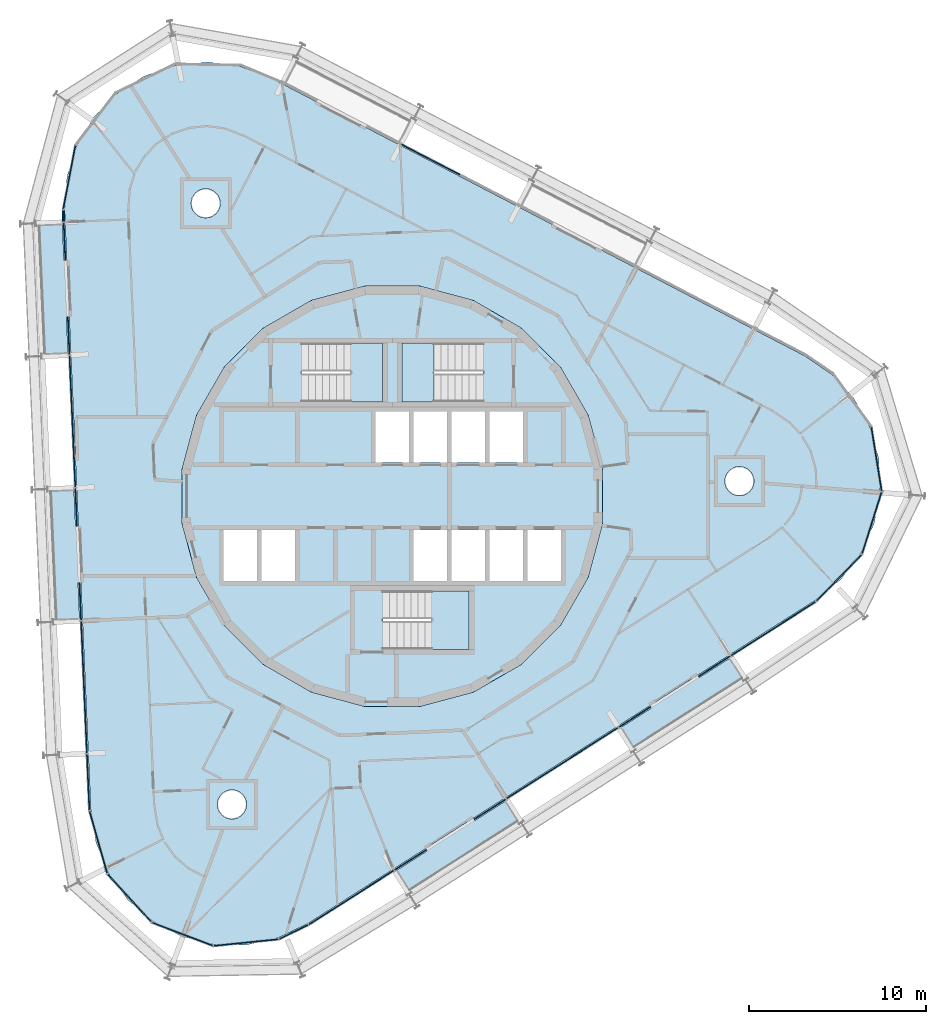
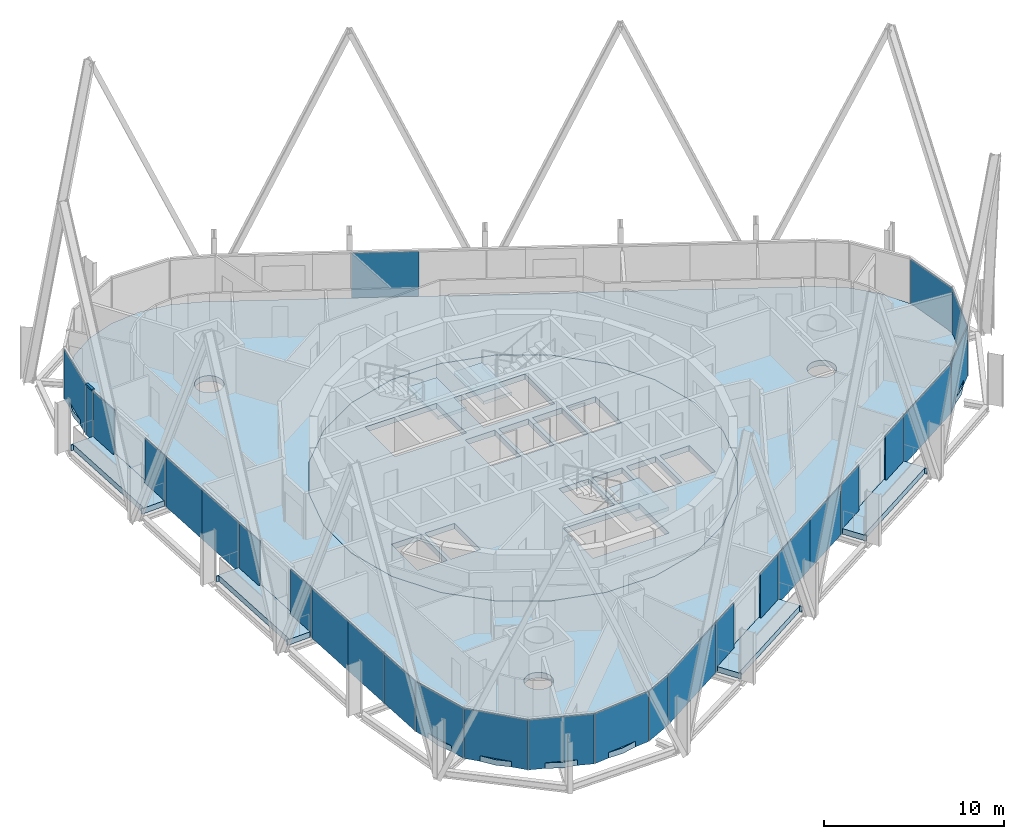
# One storey, part 10 of 18: 28 plates, 9 slabs, 1 member, 9 elements without a shape of their own.
"""IFC4 building model written with IfcOpenShell, lengths in metres."""

from ifc_helpers import new_model, si_unit, direction, frame, origin, origin_2d, place, context, subcontext, project, spatial, polyline, rectangle, outline, extrude, material, layer, layer_set, material_profile, profile_set, type_object, element, aggregate, save


model = new_model("IFC4")

# Units and contexts
model_context = context("Model", 3, precision=1e-05, world=origin(), true_north=direction((0.0, 1.0)))
body_context = subcontext(model_context, "Body", "Model", "MODEL_VIEW")
ifc_project = project(units=[si_unit("LENGTHUNIT", "METRE"), si_unit("AREAUNIT", "SQUARE_METRE"), si_unit("VOLUMEUNIT", "CUBIC_METRE"), si_unit("PLANEANGLEUNIT", "RADIAN"), si_unit("MASSUNIT", "GRAM", prefix="KILO")], contexts=[model_context])

# Site, building, storey
site_placement = place(None, origin())
site = spatial("IfcSite", under=ifc_project, at=site_placement, CompositionType="ELEMENT")
building_placement = place(site_placement, origin())
building = spatial("IfcBuilding", under=site, at=building_placement, Name="Spindle Arch Residences", CompositionType="ELEMENT")
storey_placement = place(building_placement, frame((0.0, 0.0, 240.699951171875)))
storey = spatial("IfcBuildingStorey", under=building, at=storey_placement, Name="L61", CompositionType="ELEMENT", Elevation=240.699951171875)

# Curtain wall, member
ifc_material_1 = material(Name="Aluminium bronze unitised frame with tinted glass", Category="aluminium")
ifc_layer_1 = layer(ifc_material_1, 0.159912109375)
ifc_layer_set_1 = layer_set([ifc_layer_1], Name="CW-D corner wall on the fillet arcs")
curtain_wall_type_1 = type_object("IfcCurtainWallType", Name="CW-D corner wall on the fillet arcs", PredefinedType="NOTDEFINED", material=ifc_layer_set_1)
curtain_wall_1_placement = place(storey_placement, origin())
curtain_wall_1 = element("IfcCurtainWall", 1, at=curtain_wall_1_placement, inside=storey, type_object=curtain_wall_type_1, Name="CW-D L61 run 3", PredefinedType="NOTDEFINED")
ifc_material_2 = material(Name="Aluminium bronze anodised transom", Category="aluminium")
ifc_material_profile = material_profile(ifc_material_2, rectangle(XDim=0.159912109375, YDim=0.1201171875, at=origin_2d()), Name="TR 120x160")
ifc_profile_set = profile_set([ifc_material_profile], Name="Aluminium bronze anodised transom")
member_type = type_object("IfcMemberType", Name="Bronze transom 120x160", PredefinedType="USERDEFINED", material=ifc_profile_set)
member_placement = place(storey_placement, frame((-18.638916015625, 16.2060546875, 3.06005859375), z_axis=(0.043372874815, -0.999058954081, 0.0), x_axis=(0.999058954081, 0.043372874815, 0.0)))
member = element("IfcMember", 2, at=member_placement, type_object=member_type, Name="CW-D transom 05", ObjectType="TRANSOM", PredefinedType="USERDEFINED", context=body_context, shape_type="SweptSolid", body=[
    extrude(rectangle(XDim=0.159912109375, YDim=0.1201171875, at=origin_2d()), origin(), (0.0, 0.0, 1.0), 0.65869140625),
])

# Slabs
ifc_material_3 = material(Name="Concrete C40/50", Category="concrete")
ifc_layer_2 = layer(ifc_material_3, 0.3798828125)
ifc_layer_set_2 = layer_set([ifc_layer_2], Name="Balcony slab 380")
slab_type_1 = type_object("IfcSlabType", Name="Balcony slab 380", PredefinedType="FLOOR", material=ifc_layer_set_2)
slab_1_placement = place(storey_placement, frame((0.0, 0.0, -0.3798828125)))
element("IfcSlab", 3, at=slab_1_placement, inside=storey, type_object=slab_type_1, Name="Balcony L61 bay 1", PredefinedType="FLOOR", context=body_context, shape_type="SweptSolid", body=[
    extrude(outline(polyline([(13.70751953125, -14.36962890625), (13.770751953125, -14.329345703125), (13.690185546875, -14.202880859375), (19.7880859375, -10.318115234375), (19.86865234375, -10.444580078125), (19.931884765625, -10.404296875), (19.13134765625, -9.147705078125), (17.36865234375, -10.270751953125), (17.28271484375, -10.1357421875), (14.583740234375, -11.855224609375), (14.669677734375, -11.989990234375), (12.906982421875, -13.113037109375), (13.70751953125, -14.36962890625)])), origin(), (0.0, 0.0, 1.0), 0.3798828125),
])
slab_2_placement = place(storey_placement, frame((0.0, 0.0, -0.3798828125)))
element("IfcSlab", 4, at=slab_2_placement, inside=storey, type_object=slab_type_1, Name="Balcony L61 bay 13", PredefinedType="FLOOR", context=body_context, shape_type="SweptSolid", body=[
    extrude(outline(polyline([(-20.174072265625, 15.374755859375), (-20.1708984375, 15.2998046875), (-20.02099609375, 15.306396484375), (-19.705810546875, 8.083251953125), (-19.85546875, 8.07666015625), (-19.852294921875, 8.001708984375), (-18.36376953125, 8.066650390625), (-18.454833984375, 10.15478515625), (-18.294921875, 10.161865234375), (-18.4345703125, 13.358642578125), (-18.594482421875, 13.351806640625), (-18.685546875, 15.439697265625), (-20.174072265625, 15.374755859375)])), origin(), (0.0, 0.0, 1.0), 0.3798828125),
])
slab_3_placement = place(storey_placement, frame((0.0, 0.0, -0.3798828125)))
element("IfcSlab", 5, at=slab_3_placement, inside=storey, type_object=slab_type_1, Name="Balcony L61 bay 15", PredefinedType="FLOOR", context=body_context, shape_type="SweptSolid", body=[
    extrude(outline(polyline([(-19.517333984375, 0.3291015625), (-19.513916015625, 0.254150390625), (-19.3642578125, 0.260498046875), (-19.048828125, -6.962646484375), (-19.19873046875, -6.96923828125), (-19.1953125, -7.0439453125), (-17.706787109375, -6.97900390625), (-17.7978515625, -4.89111328125), (-17.63818359375, -4.884033203125), (-17.777587890625, -1.68701171875), (-17.9375, -1.694091796875), (-18.02880859375, 0.39404296875), (-19.517333984375, 0.3291015625)])), origin(), (0.0, 0.0, 1.0), 0.3798828125),
])
slab_4_placement = place(storey_placement, frame((0.0, 0.0, -0.3798828125)))
element("IfcSlab", 6, at=slab_4_placement, inside=storey, type_object=slab_type_1, Name="Balcony L61 bay 21", PredefinedType="FLOOR", context=body_context, shape_type="SweptSolid", body=[
    extrude(outline(polyline([(1.006103515625, -22.46142578125), (1.0693359375, -22.421142578125), (0.988525390625, -22.294677734375), (7.08642578125, -18.409912109375), (7.1669921875, -18.536376953125), (7.230224609375, -18.49609375), (6.4296875, -17.239501953125), (4.6669921875, -18.362548828125), (4.5810546875, -18.2275390625), (1.882080078125, -19.947021484375), (1.968017578125, -20.081787109375), (0.205322265625, -21.204833984375), (1.006103515625, -22.46142578125)])), origin(), (0.0, 0.0, 1.0), 0.3798828125),
])
ifc_material_4 = material(Name="Concrete C50/60", Category="concrete")
ifc_layer_3 = layer(ifc_material_4, 0.3798828125)
ifc_layer_set_3 = layer_set([ifc_layer_3], Name="Core floor slab 380")
slab_type_2 = type_object("IfcSlabType", Name="Core floor slab 380", PredefinedType="FLOOR", material=ifc_layer_set_3)
slab_5_placement = place(storey_placement, frame((0.0, 0.0, -0.3798828125)))
element("IfcSlab", 7, at=slab_5_placement, inside=storey, type_object=slab_type_2, Name="Core floor L61", PredefinedType="FLOOR", context=body_context, shape_type="SweptSolid", body=[
    extrude(outline(polyline([(1.56640625, -11.897216796875), (4.59228515625, -11.086669921875), (7.30517578125, -9.520263671875), (9.520263671875, -7.30517578125), (11.086669921875, -4.59228515625), (11.897216796875, -1.56640625), (11.897216796875, 1.56640625), (11.086669921875, 4.59228515625), (9.520263671875, 7.30517578125), (7.30517578125, 9.520263671875), (4.59228515625, 11.086669921875), (1.56640625, 11.897216796875), (-1.56640625, 11.897216796875), (-4.59228515625, 11.086669921875), (-7.30517578125, 9.520263671875), (-9.520263671875, 7.30517578125), (-11.086669921875, 4.59228515625), (-11.897216796875, 1.56640625), (-11.897216796875, -1.56640625), (-11.086669921875, -4.59228515625), (-9.520263671875, -7.30517578125), (-7.30517578125, -9.520263671875), (-4.59228515625, -11.086669921875), (-1.56640625, -11.897216796875), (1.56640625, -11.897216796875)]), holes=[polyline([(-0.949951171875, 1.89990234375), (0.949951171875, 1.89990234375), (0.949951171875, 4.800048828125), (-0.949951171875, 4.800048828125), (-0.949951171875, 1.89990234375)]), polyline([(1.199951171875, 1.89990234375), (3.10009765625, 1.89990234375), (3.10009765625, 4.800048828125), (1.199951171875, 4.800048828125), (1.199951171875, 1.89990234375)]), polyline([(3.35009765625, 1.89990234375), (5.25, 1.89990234375), (5.25, 4.800048828125), (3.35009765625, 4.800048828125), (3.35009765625, 1.89990234375)]), polyline([(5.5, 1.89990234375), (7.39990234375, 1.89990234375), (7.39990234375, 4.800048828125), (5.5, 4.800048828125), (5.5, 1.89990234375)]), polyline([(-9.550048828125, -4.800048828125), (-7.64990234375, -4.800048828125), (-7.64990234375, -1.89990234375), (-9.550048828125, -1.89990234375), (-9.550048828125, -4.800048828125)]), polyline([(-7.39990234375, -4.800048828125), (-5.5, -4.800048828125), (-5.5, -1.89990234375), (-7.39990234375, -1.89990234375), (-7.39990234375, -4.800048828125)]), polyline([(1.199951171875, -4.800048828125), (3.10009765625, -4.800048828125), (3.10009765625, -1.89990234375), (1.199951171875, -1.89990234375), (1.199951171875, -4.800048828125)]), polyline([(3.35009765625, -4.800048828125), (5.25, -4.800048828125), (5.25, -1.89990234375), (3.35009765625, -1.89990234375), (3.35009765625, -4.800048828125)]), polyline([(5.5, -4.800048828125), (7.39990234375, -4.800048828125), (7.39990234375, -1.89990234375), (5.5, -1.89990234375), (5.5, -4.800048828125)]), polyline([(7.64990234375, -4.800048828125), (9.550048828125, -4.800048828125), (9.550048828125, -1.89990234375), (7.64990234375, -1.89990234375), (7.64990234375, -4.800048828125)]), polyline([(5.1298828125, 8.669921875), (0.550048828125, 8.669921875), (0.550048828125, 5.35009765625), (5.1298828125, 5.35009765625), (5.1298828125, 8.669921875)]), polyline([(-5.1298828125, 5.35009765625), (-0.550048828125, 5.35009765625), (-0.550048828125, 8.669921875), (-5.1298828125, 8.669921875), (-5.1298828125, 5.35009765625)]), polyline([(-0.530029296875, -8.669921875), (4.35009765625, -8.669921875), (4.35009765625, -5.35009765625), (-0.530029296875, -5.35009765625), (-0.530029296875, -8.669921875)])]), origin(), (0.0, 0.0, 1.0), 0.3798828125),
])

# Stair, slab
ifc_material_5 = material(Name="Concrete C50/60", Category="concrete")
stair_type = type_object("IfcStairType", Name="Exit stair 16 risers", PredefinedType="HALF_TURN_STAIR", material=ifc_material_5)
stair_1_placement = place(storey_placement, origin())
stair_1 = element("IfcStair", 8, at=stair_1_placement, inside=storey, type_object=stair_type, Name="L61 Exit stair ST1", PredefinedType="HALF_TURN_STAIR")
ifc_material_6 = material(Name="Concrete C50/60", Category="concrete")
ifc_layer_4 = layer(ifc_material_6, 0.219970703125)
ifc_layer_set_4 = layer_set([ifc_layer_4], Name="Exit stair landing 220")
slab_type_3 = type_object("IfcSlabType", Name="Exit stair landing 220", PredefinedType="LANDING", material=ifc_layer_set_4)
slab_6_placement = place(storey_placement, frame((0.0, 0.0, 1.530029296875)))
slab_6 = element("IfcSlab", 9, at=slab_6_placement, type_object=slab_type_3, Name="ST1 landing 1", PredefinedType="LANDING", context=body_context, shape_type="SweptSolid", body=[
    extrude(outline(polyline([(2.3701171875, 8.669921875), (0.550048828125, 8.669921875), (0.550048828125, 5.35009765625), (2.3701171875, 5.35009765625), (2.3701171875, 8.669921875)])), origin(), (0.0, 0.0, 1.0), 0.219970703125),
])
aggregate(stair_1, [slab_6])

stair_2_placement = place(storey_placement, origin())
stair_2 = element("IfcStair", 10, at=stair_2_placement, inside=storey, type_object=stair_type, Name="L61 Exit stair ST2", PredefinedType="HALF_TURN_STAIR")
slab_7_placement = place(storey_placement, frame((0.0, 0.0, 1.530029296875)))
slab_7 = element("IfcSlab", 11, at=slab_7_placement, type_object=slab_type_3, Name="ST2 landing 1", PredefinedType="LANDING", context=body_context, shape_type="SweptSolid", body=[
    extrude(outline(polyline([(-2.3701171875, 5.35009765625), (-0.550048828125, 5.35009765625), (-0.550048828125, 8.669921875), (-2.3701171875, 8.669921875), (-2.3701171875, 5.35009765625)])), origin(), (0.0, 0.0, 1.0), 0.219970703125),
])
aggregate(stair_2, [slab_7])

stair_3_placement = place(storey_placement, origin())
stair_3 = element("IfcStair", 12, at=stair_3_placement, inside=storey, type_object=stair_type, Name="L61 Exit stair ST3", PredefinedType="HALF_TURN_STAIR")
slab_8_placement = place(storey_placement, frame((0.0, 0.0, 1.530029296875)))
slab_8 = element("IfcSlab", 13, at=slab_8_placement, type_object=slab_type_3, Name="ST3 landing 1", PredefinedType="LANDING", context=body_context, shape_type="SweptSolid", body=[
    extrude(outline(polyline([(2.22998046875, -8.669921875), (4.35009765625, -8.669921875), (4.35009765625, -5.35009765625), (2.22998046875, -5.35009765625), (2.22998046875, -8.669921875)])), origin(), (0.0, 0.0, 1.0), 0.219970703125),
])
aggregate(stair_3, [slab_8])

# Slab
ifc_material_7 = material(Name="Concrete C40/50", Category="concrete")
ifc_layer_5 = layer(ifc_material_7, 0.3798828125)
ifc_layer_set_5 = layer_set([ifc_layer_5], Name="Floor slab 380")
slab_type_4 = type_object("IfcSlabType", Name="Floor slab 380", PredefinedType="FLOOR", material=ifc_layer_set_5)
slab_9_placement = place(storey_placement, frame((0.0, 0.0, -0.3798828125)))
element("IfcSlab", 14, at=slab_9_placement, inside=storey, type_object=slab_type_4, Name="Floor slab L61", PredefinedType="FLOOR", context=body_context, shape_type="SweptSolid", body=[
    extrude(outline(polyline([(-6.45556640625, -25.0029296875), (-8.268798828125, -25.40478515625), (-10.126220703125, -25.3779296875), (-11.92724609375, -24.92333984375), (-13.57470703125, -24.065673828125), (-14.980224609375, -22.85107421875), (-16.067626953125, -21.34521484375), (-16.778564453125, -19.629150390625), (-17.074462890625, -17.79541015625), (-18.560302734375, 16.239501953125), (-18.42529296875, 18.092041015625), (-17.866943359375, 19.863525390625), (-16.914794921875, 21.45849609375), (-15.62060546875, 22.791015625), (-14.053955078125, 23.788818359375), (-12.299560546875, 24.398681640625), (-10.45166015625, 24.587646484375), (-8.610107421875, 24.34521484375), (-6.8740234375, 23.6845703125), (23.343994140625, 7.9541015625), (24.880859375, 6.910888671875), (26.1357421875, 5.54150390625), (27.041015625, 3.91943359375), (27.5478515625, 2.13232421875), (27.62890625, 0.276611328125), (27.27978515625, -1.547607421875), (26.519287109375, -3.242431640625), (25.388427734375, -4.716064453125), (23.948486328125, -5.88916015625), (9.58251953125, -15.041259765625), (-4.78369140625, -24.193603515625), (-6.45556640625, -25.0029296875)]), holes=[polyline([(7.30517578125, -9.520263671875), (9.520263671875, -7.30517578125), (11.086669921875, -4.59228515625), (11.897216796875, -1.56640625), (11.897216796875, 1.56640625), (11.086669921875, 4.59228515625), (9.520263671875, 7.30517578125), (7.30517578125, 9.520263671875), (4.59228515625, 11.086669921875), (1.56640625, 11.897216796875), (-1.56640625, 11.897216796875), (-4.59228515625, 11.086669921875), (-7.30517578125, 9.520263671875), (-9.520263671875, 7.30517578125), (-11.086669921875, 4.59228515625), (-11.897216796875, 1.56640625), (-11.897216796875, -1.56640625), (-11.086669921875, -4.59228515625), (-9.520263671875, -7.30517578125), (-7.30517578125, -9.520263671875), (-4.59228515625, -11.086669921875), (-1.56640625, -11.897216796875), (1.56640625, -11.897216796875), (4.59228515625, -11.086669921875), (7.30517578125, -9.520263671875)]), polyline([(-8.39599609375, -17.904541015625), (-8.31982421875, -17.761962890625), (-8.27294921875, -17.607177734375), (-8.257080078125, -17.4462890625), (-8.27294921875, -17.285400390625), (-8.31982421875, -17.130615234375), (-8.39599609375, -16.988037109375), (-8.49853515625, -16.86279296875), (-8.623779296875, -16.76025390625), (-8.766357421875, -16.68408203125), (-8.921142578125, -16.63720703125), (-9.08203125, -16.621337890625), (-9.242919921875, -16.63720703125), (-9.397705078125, -16.68408203125), (-9.540283203125, -16.76025390625), (-9.665283203125, -16.86279296875), (-9.76806640625, -16.988037109375), (-9.84423828125, -17.130615234375), (-9.89111328125, -17.285400390625), (-9.906982421875, -17.4462890625), (-9.89111328125, -17.607177734375), (-9.84423828125, -17.761962890625), (-9.76806640625, -17.904541015625), (-9.665283203125, -18.02978515625), (-9.540283203125, -18.13232421875), (-9.397705078125, -18.20849609375), (-9.242919921875, -18.25537109375), (-9.08203125, -18.271240234375), (-8.921142578125, -18.25537109375), (-8.766357421875, -18.20849609375), (-8.623779296875, -18.13232421875), (-8.49853515625, -18.02978515625), (-8.39599609375, -17.904541015625)]), polyline([(-9.882080078125, 16.130126953125), (-9.805908203125, 16.272705078125), (-9.7587890625, 16.427490234375), (-9.742919921875, 16.58837890625), (-9.7587890625, 16.749267578125), (-9.805908203125, 16.904052734375), (-9.882080078125, 17.046630859375), (-9.984619140625, 17.171875), (-10.109619140625, 17.2744140625), (-10.252197265625, 17.3505859375), (-10.406982421875, 17.3974609375), (-10.568115234375, 17.413330078125), (-10.72900390625, 17.3974609375), (-10.8837890625, 17.3505859375), (-11.0263671875, 17.2744140625), (-11.1513671875, 17.171875), (-11.25390625, 17.046630859375), (-11.330078125, 16.904052734375), (-11.377197265625, 16.749267578125), (-11.39306640625, 16.58837890625), (-11.377197265625, 16.427490234375), (-11.330078125, 16.272705078125), (-11.25390625, 16.130126953125), (-11.1513671875, 16.0048828125), (-11.0263671875, 15.90234375), (-10.8837890625, 15.826171875), (-10.72900390625, 15.779296875), (-10.568115234375, 15.763427734375), (-10.406982421875, 15.779296875), (-10.252197265625, 15.826171875), (-10.109619140625, 15.90234375), (-9.984619140625, 16.0048828125), (-9.882080078125, 16.130126953125)]), polyline([(20.2333984375, 0.2744140625), (20.3359375, 0.399658203125), (20.412109375, 0.542236328125), (20.458984375, 0.697021484375), (20.47509765625, 0.85791015625), (20.458984375, 1.018798828125), (20.412109375, 1.173583984375), (20.3359375, 1.316162109375), (20.2333984375, 1.44140625), (20.1083984375, 1.5439453125), (19.9658203125, 1.6201171875), (19.810791015625, 1.6669921875), (19.64990234375, 1.682861328125), (19.489013671875, 1.6669921875), (19.334228515625, 1.6201171875), (19.191650390625, 1.5439453125), (19.066650390625, 1.44140625), (18.964111328125, 1.316162109375), (18.8876953125, 1.173583984375), (18.8408203125, 1.018798828125), (18.824951171875, 0.85791015625), (18.8408203125, 0.697021484375), (18.8876953125, 0.542236328125), (18.964111328125, 0.399658203125), (19.066650390625, 0.2744140625), (19.191650390625, 0.171875), (19.334228515625, 0.095703125), (19.489013671875, 0.048828125), (19.64990234375, 0.032958984375), (19.810791015625, 0.048828125), (19.9658203125, 0.095703125), (20.1083984375, 0.171875), (20.2333984375, 0.2744140625)])]), origin(), (0.0, 0.0, 1.0), 0.3798828125),
])

# Curtain wall, plates
curtain_wall_2_placement = place(storey_placement, origin())
curtain_wall_2 = element("IfcCurtainWall", 15, at=curtain_wall_2_placement, inside=storey, type_object=curtain_wall_type_1, Name="CW-D L61 run 1", PredefinedType="NOTDEFINED")
ifc_material_8 = material(Name="Tinted double glazing over aluminium faced non-combustible spandrel zone (K0)", Category="aluminium")
ifc_layer_6 = layer(ifc_material_8, 0.06005859375)
ifc_layer_set_6 = layer_set([ifc_layer_6], Name="Unitised glass panel with E 60 spandrel zone")
plate_type = type_object("IfcPlateType", Name="Unitised glass panel with E 60 spandrel zone", PredefinedType="CURTAIN_PANEL", material=ifc_layer_set_6)
plate_1_placement = place(storey_placement, frame((21.571533203125, -7.498291015625, -0.3798828125), z_axis=(0.0, 0.0, 1.0), x_axis=(0.843391445813, 0.537299608347, 0.0)))
plate_1 = element("IfcPlate", 16, at=plate_1_placement, type_object=plate_type, Name="CW-D unit 00", PredefinedType="CURTAIN_PANEL", context=body_context, shape_type="SweptSolid", body=[
    extrude(rectangle(XDim=5.678466796875, YDim=0.06005859375, at=origin_2d()), origin(), (0.0, 0.0, 1.0), 3.3798828125),
])
plate_2_placement = place(storey_placement, frame((25.28955078125, -4.6201171875, -0.3798828125), z_axis=(0.0, 0.0, 1.0), x_axis=(0.696747904692, 0.71731607908, 0.0)))
plate_2 = element("IfcPlate", 17, at=plate_2_placement, type_object=plate_type, Name="CW-D unit 01", PredefinedType="CURTAIN_PANEL", context=body_context, shape_type="SweptSolid", body=[
    extrude(rectangle(XDim=3.666748046875, YDim=0.06005859375, at=origin_2d()), origin(), (0.0, 0.0, 1.0), 3.3798828125),
])
plate_3_placement = place(storey_placement, frame((27.148193359375, -1.50634765625, -0.3798828125), z_axis=(0.0, 0.0, 1.0), x_axis=(0.300705803932, 0.953716949352, 0.0)))
plate_3 = element("IfcPlate", 18, at=plate_3_placement, type_object=plate_type, Name="CW-D unit 02", PredefinedType="CURTAIN_PANEL", context=body_context, shape_type="SweptSolid", body=[
    extrude(rectangle(XDim=3.666748046875, YDim=0.06005859375, at=origin_2d()), origin(), (0.0, 0.0, 1.0), 3.3798828125),
])
plate_4_placement = place(storey_placement, frame((27.411865234375, 2.1103515625, -0.3798828125), z_axis=(0.0, 0.0, 1.0), x_axis=(-0.15930686075, 0.987229114298, 0.0)))
plate_4 = element("IfcPlate", 19, at=plate_4_placement, type_object=plate_type, Name="CW-D unit 03", PredefinedType="CURTAIN_PANEL", context=body_context, shape_type="SweptSolid", body=[
    extrude(rectangle(XDim=3.666748046875, YDim=0.06005859375, at=origin_2d()), origin(), (0.0, 0.0, 1.0), 3.3798828125),
])
aggregate(curtain_wall_2, [plate_1, plate_2, plate_3, plate_4])

# Curtain wall, plate
ifc_material_9 = material(Name="Aluminium bronze unitised frame with tinted glass", Category="aluminium")
ifc_layer_7 = layer(ifc_material_9, 0.159912109375)
ifc_layer_set_7 = layer_set([ifc_layer_7], Name="CW-C typical residential unitised wall")
curtain_wall_type_2 = type_object("IfcCurtainWallType", Name="CW-C typical residential unitised wall", PredefinedType="NOTDEFINED", material=ifc_layer_set_7)
curtain_wall_3_placement = place(storey_placement, origin())
curtain_wall_3 = element("IfcCurtainWall", 20, at=curtain_wall_3_placement, inside=storey, type_object=curtain_wall_type_2, Name="CW-C L61 run 2", PredefinedType="NOTDEFINED")
plate_5_placement = place(storey_placement, frame((2.16259765625, 19.070556640625, -0.3798828125), z_axis=(0.0, 0.0, 1.0), x_axis=(-0.887010833178, 0.461748613235, 0.0)))
plate_5 = element("IfcPlate", 21, at=plate_5_placement, type_object=plate_type, Name="CW-C unit 07B", PredefinedType="CURTAIN_PANEL", context=body_context, shape_type="SweptSolid", body=[
    extrude(rectangle(XDim=3.735107421875, YDim=0.06005859375, at=origin_2d()), origin(), (0.0, 0.0, 1.0), 3.3798828125),
])
aggregate(curtain_wall_3, [plate_5])

# Plate
plate_6_placement = place(storey_placement, frame((-18.2900390625, 18.066162109375, -0.3798828125), z_axis=(0.0, 0.0, 1.0), x_axis=(-0.187952756314, -0.982178070104, 0.0)))
plate_6 = element("IfcPlate", 22, at=plate_6_placement, type_object=plate_type, Name="CW-D unit 04", PredefinedType="CURTAIN_PANEL", context=body_context, shape_type="SweptSolid", body=[
    extrude(rectangle(XDim=3.666748046875, YDim=0.06005859375, at=origin_2d()), origin(), (0.0, 0.0, 1.0), 3.3798828125),
])

plate_7_placement = place(storey_placement, frame((-18.62451171875, 15.877197265625, -0.3798828125), z_axis=(0.0, 0.0, 1.0), x_axis=(0.043619387365, -0.999048221582, 0.0)))
plate_7 = element("IfcPlate", 23, at=plate_7_placement, type_object=plate_type, Name="CW-D unit 05", PredefinedType="CURTAIN_PANEL", context=body_context, shape_type="SweptSolid", body=[
    extrude(rectangle(XDim=0.658447265625, YDim=0.06005859375, at=origin_2d()), origin(), (0.0, 0.0, 1.0), 3.3798828125),
])

aggregate(curtain_wall_1, [plate_6, member, plate_7])

# Curtain wall, plates
curtain_wall_4_placement = place(storey_placement, origin())
curtain_wall_4 = element("IfcCurtainWall", 24, at=curtain_wall_4_placement, inside=storey, type_object=curtain_wall_type_2, Name="CW-C L61 run 4", PredefinedType="NOTDEFINED")
plate_8_placement = place(storey_placement, frame((-18.56103515625, 14.421875, -0.3798828125), z_axis=(0.0, 0.0, 1.0), x_axis=(0.043619387365, -0.999048221582, 0.0)))
plate_8 = element("IfcPlate", 25, at=plate_8_placement, type_object=plate_type, Name="CW-C unit 12L", PredefinedType="CURTAIN_PANEL", context=body_context, shape_type="SweptSolid", body=[
    extrude(rectangle(XDim=2.135009765625, YDim=0.06005859375, at=origin_2d()), origin(), (0.0, 0.0, 1.0), 3.3798828125),
])
plate_9_placement = place(storey_placement, frame((-18.328369140625, 9.091796875, -0.3798828125), z_axis=(0.0, 0.0, 1.0), x_axis=(0.043619387365, -0.999048221582, 0.0)))
plate_9 = element("IfcPlate", 26, at=plate_9_placement, type_object=plate_type, Name="CW-C unit 12R", PredefinedType="CURTAIN_PANEL", context=body_context, shape_type="SweptSolid", body=[
    extrude(rectangle(XDim=2.135009765625, YDim=0.06005859375, at=origin_2d()), origin(), (0.0, 0.0, 1.0), 3.3798828125),
])
plate_10_placement = place(storey_placement, frame((-18.19775390625, 6.099609375, -0.3798828125), z_axis=(0.0, 0.0, 1.0), x_axis=(0.043619387365, -0.999048221582, 0.0)))
plate_10 = element("IfcPlate", 27, at=plate_10_placement, type_object=plate_type, Name="CW-C unit 13A", PredefinedType="CURTAIN_PANEL", context=body_context, shape_type="SweptSolid", body=[
    extrude(rectangle(XDim=3.735107421875, YDim=0.06005859375, at=origin_2d()), origin(), (0.0, 0.0, 1.0), 3.3798828125),
])
plate_11_placement = place(storey_placement, frame((-18.034912109375, 2.3681640625, -0.3798828125), z_axis=(0.0, 0.0, 1.0), x_axis=(0.043619387365, -0.999048221582, 0.0)))
plate_11 = element("IfcPlate", 28, at=plate_11_placement, type_object=plate_type, Name="CW-C unit 13B", PredefinedType="CURTAIN_PANEL", context=body_context, shape_type="SweptSolid", body=[
    extrude(rectangle(XDim=3.735107421875, YDim=0.06005859375, at=origin_2d()), origin(), (0.0, 0.0, 1.0), 3.3798828125),
])
plate_12_placement = place(storey_placement, frame((-17.904052734375, -0.6240234375, -0.3798828125), z_axis=(0.0, 0.0, 1.0), x_axis=(0.043619387365, -0.999048221582, 0.0)))
plate_12 = element("IfcPlate", 29, at=plate_12_placement, type_object=plate_type, Name="CW-C unit 14L", PredefinedType="CURTAIN_PANEL", context=body_context, shape_type="SweptSolid", body=[
    extrude(rectangle(XDim=2.135009765625, YDim=0.06005859375, at=origin_2d()), origin(), (0.0, 0.0, 1.0), 3.3798828125),
])
plate_13_placement = place(storey_placement, frame((-17.67138671875, -5.9541015625, -0.3798828125), z_axis=(0.0, 0.0, 1.0), x_axis=(0.043619387365, -0.999048221582, 0.0)))
plate_13 = element("IfcPlate", 30, at=plate_13_placement, type_object=plate_type, Name="CW-C unit 14R", PredefinedType="CURTAIN_PANEL", context=body_context, shape_type="SweptSolid", body=[
    extrude(rectangle(XDim=2.135009765625, YDim=0.06005859375, at=origin_2d()), origin(), (0.0, 0.0, 1.0), 3.3798828125),
])
plate_14_placement = place(storey_placement, frame((-17.540771484375, -8.9462890625, -0.3798828125), z_axis=(0.0, 0.0, 1.0), x_axis=(0.043619387365, -0.999048221582, 0.0)))
plate_14 = element("IfcPlate", 31, at=plate_14_placement, type_object=plate_type, Name="CW-C unit 15A", PredefinedType="CURTAIN_PANEL", context=body_context, shape_type="SweptSolid", body=[
    extrude(rectangle(XDim=3.735107421875, YDim=0.06005859375, at=origin_2d()), origin(), (0.0, 0.0, 1.0), 3.3798828125),
])
plate_15_placement = place(storey_placement, frame((-17.3779296875, -12.677734375, -0.3798828125), z_axis=(0.0, 0.0, 1.0), x_axis=(0.043619387365, -0.999048221582, 0.0)))
plate_15 = element("IfcPlate", 32, at=plate_15_placement, type_object=plate_type, Name="CW-C unit 15B", PredefinedType="CURTAIN_PANEL", context=body_context, shape_type="SweptSolid", body=[
    extrude(rectangle(XDim=3.735107421875, YDim=0.06005859375, at=origin_2d()), origin(), (0.0, 0.0, 1.0), 3.3798828125),
])
aggregate(curtain_wall_4, [plate_8, plate_9, plate_10, plate_11, plate_12, plate_13, plate_14, plate_15])

curtain_wall_5_placement = place(storey_placement, origin())
curtain_wall_5 = element("IfcCurtainWall", 33, at=curtain_wall_5_placement, inside=storey, type_object=curtain_wall_type_1, Name="CW-D L61 run 5", PredefinedType="NOTDEFINED")
plate_16_placement = place(storey_placement, frame((-17.224609375, -16.18603515625, -0.3798828125), z_axis=(0.0, 0.0, 1.0), x_axis=(0.043619387365, -0.999048221582, 0.0)))
plate_16 = element("IfcPlate", 34, at=plate_16_placement, type_object=plate_type, Name="CW-D unit 00", PredefinedType="CURTAIN_PANEL", context=body_context, shape_type="SweptSolid", body=[
    extrude(rectangle(XDim=3.16845703125, YDim=0.06005859375, at=origin_2d()), origin(), (0.0, 0.0, 1.0), 3.3798828125),
])
plate_17_placement = place(storey_placement, frame((-16.64599609375, -19.591552734375, -0.3798828125), z_axis=(0.0, 0.0, 1.0), x_axis=(0.272839997585, -0.962059424213, 0.0)))
plate_17 = element("IfcPlate", 35, at=plate_17_placement, type_object=plate_type, Name="CW-D unit 01", PredefinedType="CURTAIN_PANEL", context=body_context, shape_type="SweptSolid", body=[
    extrude(rectangle(XDim=3.666748046875, YDim=0.06005859375, at=origin_2d()), origin(), (0.0, 0.0, 1.0), 3.3798828125),
])
plate_18_placement = place(storey_placement, frame((-14.878662109375, -22.758056640625, -0.3798828125), z_axis=(0.0, 0.0, 1.0), x_axis=(0.675590207538, -0.737277336881, 0.0)))
plate_18 = element("IfcPlate", 36, at=plate_18_placement, type_object=plate_type, Name="CW-D unit 02", PredefinedType="CURTAIN_PANEL", context=body_context, shape_type="SweptSolid", body=[
    extrude(rectangle(XDim=3.666748046875, YDim=0.06005859375, at=origin_2d()), origin(), (0.0, 0.0, 1.0), 3.3798828125),
])
plate_19_placement = place(storey_placement, frame((-11.878173828125, -24.79443359375, -0.3798828125), z_axis=(0.0, 0.0, 1.0), x_axis=(0.934618925661, -0.355650760994, 0.0)))
plate_19 = element("IfcPlate", 37, at=plate_19_placement, type_object=plate_type, Name="CW-D unit 03", PredefinedType="CURTAIN_PANEL", context=body_context, shape_type="SweptSolid", body=[
    extrude(rectangle(XDim=3.666748046875, YDim=0.06005859375, at=origin_2d()), origin(), (0.0, 0.0, 1.0), 3.3798828125),
])
plate_20_placement = place(storey_placement, frame((-8.282958984375, -25.267822265625, -0.3798828125), z_axis=(0.0, 0.0, 1.0), x_axis=(0.994821748016, 0.10163508092, 0.0)))
plate_20 = element("IfcPlate", 38, at=plate_20_placement, type_object=plate_type, Name="CW-D unit 04", PredefinedType="CURTAIN_PANEL", context=body_context, shape_type="SweptSolid", body=[
    extrude(rectangle(XDim=3.666748046875, YDim=0.06005859375, at=origin_2d()), origin(), (0.0, 0.0, 1.0), 3.3798828125),
])
plate_21_placement = place(storey_placement, frame((-5.5849609375, -24.669677734375, -0.3798828125), z_axis=(0.0, 0.0, 1.0), x_axis=(0.900065409973, 0.435754813823, 0.0)))
plate_21 = element("IfcPlate", 39, at=plate_21_placement, type_object=plate_type, Name="CW-D unit 05", PredefinedType="CURTAIN_PANEL", context=body_context, shape_type="SweptSolid", body=[
    extrude(rectangle(XDim=1.816162109375, YDim=0.06005859375, at=origin_2d()), origin(), (0.0, 0.0, 1.0), 3.3798828125),
])
plate_22_placement = place(storey_placement, frame((-2.32080078125, -22.71923828125, -0.3798828125), z_axis=(0.0, 0.0, 1.0), x_axis=(0.843391445813, 0.537299608347, 0.0)))
plate_22 = element("IfcPlate", 40, at=plate_22_placement, type_object=plate_type, Name="CW-D unit 06", PredefinedType="CURTAIN_PANEL", context=body_context, shape_type="SweptSolid", body=[
    extrude(rectangle(XDim=5.678466796875, YDim=0.06005859375, at=origin_2d()), origin(), (0.0, 0.0, 1.0), 3.3798828125),
])
aggregate(curtain_wall_5, [plate_16, plate_17, plate_18, plate_19, plate_20, plate_21, plate_22])

curtain_wall_6_placement = place(storey_placement, origin())
curtain_wall_6 = element("IfcCurtainWall", 41, at=curtain_wall_6_placement, inside=storey, type_object=curtain_wall_type_2, Name="CW-C L61 run 6", PredefinedType="NOTDEFINED")
plate_23_placement = place(storey_placement, frame((1.02490234375, -20.587890625, -0.3798828125), z_axis=(0.0, 0.0, 1.0), x_axis=(0.843391445813, 0.537299608347, 0.0)))
plate_23 = element("IfcPlate", 42, at=plate_23_placement, type_object=plate_type, Name="CW-C unit 20L", PredefinedType="CURTAIN_PANEL", context=body_context, shape_type="SweptSolid", body=[
    extrude(rectangle(XDim=2.135009765625, YDim=0.06005859375, at=origin_2d()), origin(), (0.0, 0.0, 1.0), 3.3798828125),
])
plate_24_placement = place(storey_placement, frame((5.5244140625, -17.721435546875, -0.3798828125), z_axis=(0.0, 0.0, 1.0), x_axis=(0.843391445813, 0.537299608347, 0.0)))
plate_24 = element("IfcPlate", 43, at=plate_24_placement, type_object=plate_type, Name="CW-C unit 20R", PredefinedType="CURTAIN_PANEL", context=body_context, shape_type="SweptSolid", body=[
    extrude(rectangle(XDim=2.135009765625, YDim=0.06005859375, at=origin_2d()), origin(), (0.0, 0.0, 1.0), 3.3798828125),
])
plate_25_placement = place(storey_placement, frame((8.05029296875, -16.1123046875, -0.3798828125), z_axis=(0.0, 0.0, 1.0), x_axis=(0.843391445813, 0.537299608347, 0.0)))
plate_25 = element("IfcPlate", 44, at=plate_25_placement, type_object=plate_type, Name="CW-C unit 21A", PredefinedType="CURTAIN_PANEL", context=body_context, shape_type="SweptSolid", body=[
    extrude(rectangle(XDim=3.735107421875, YDim=0.06005859375, at=origin_2d()), origin(), (0.0, 0.0, 1.0), 3.3798828125),
])
plate_26_placement = place(storey_placement, frame((11.200439453125, -14.10546875, -0.3798828125), z_axis=(0.0, 0.0, 1.0), x_axis=(0.843391445813, 0.537299608347, 0.0)))
plate_26 = element("IfcPlate", 45, at=plate_26_placement, type_object=plate_type, Name="CW-C unit 21B", PredefinedType="CURTAIN_PANEL", context=body_context, shape_type="SweptSolid", body=[
    extrude(rectangle(XDim=3.735107421875, YDim=0.06005859375, at=origin_2d()), origin(), (0.0, 0.0, 1.0), 3.3798828125),
])
plate_27_placement = place(storey_placement, frame((13.726318359375, -12.49609375, -0.3798828125), z_axis=(0.0, 0.0, 1.0), x_axis=(0.843391445813, 0.537299608347, 0.0)))
plate_27 = element("IfcPlate", 46, at=plate_27_placement, type_object=plate_type, Name="CW-C unit 00L", PredefinedType="CURTAIN_PANEL", context=body_context, shape_type="SweptSolid", body=[
    extrude(rectangle(XDim=2.135009765625, YDim=0.06005859375, at=origin_2d()), origin(), (0.0, 0.0, 1.0), 3.3798828125),
])
plate_28_placement = place(storey_placement, frame((18.225830078125, -9.629638671875, -0.3798828125), z_axis=(0.0, 0.0, 1.0), x_axis=(0.843391445813, 0.537299608347, 0.0)))
plate_28 = element("IfcPlate", 47, at=plate_28_placement, type_object=plate_type, Name="CW-C unit 00R", PredefinedType="CURTAIN_PANEL", context=body_context, shape_type="SweptSolid", body=[
    extrude(rectangle(XDim=2.135009765625, YDim=0.06005859375, at=origin_2d()), origin(), (0.0, 0.0, 1.0), 3.3798828125),
])
aggregate(curtain_wall_6, [plate_23, plate_24, plate_25, plate_26, plate_27, plate_28])

save(model, "model.ifc")
